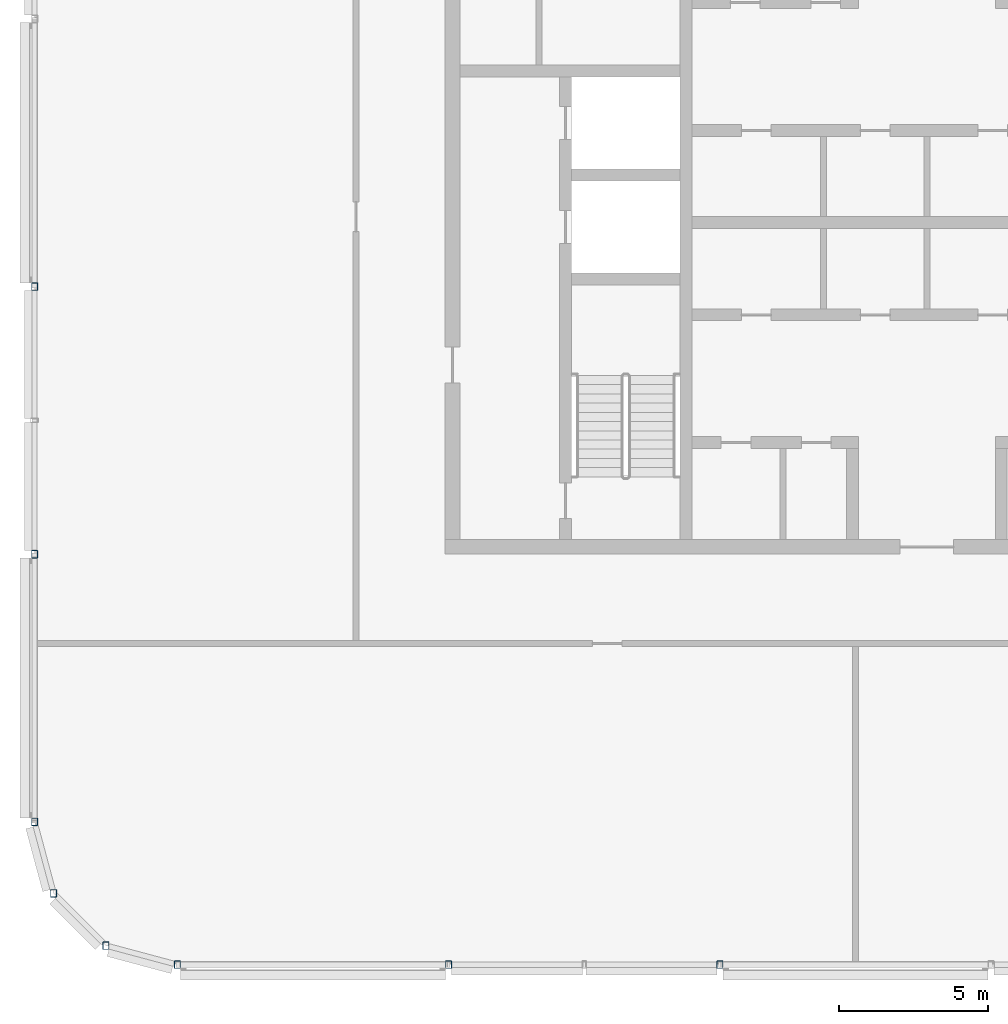
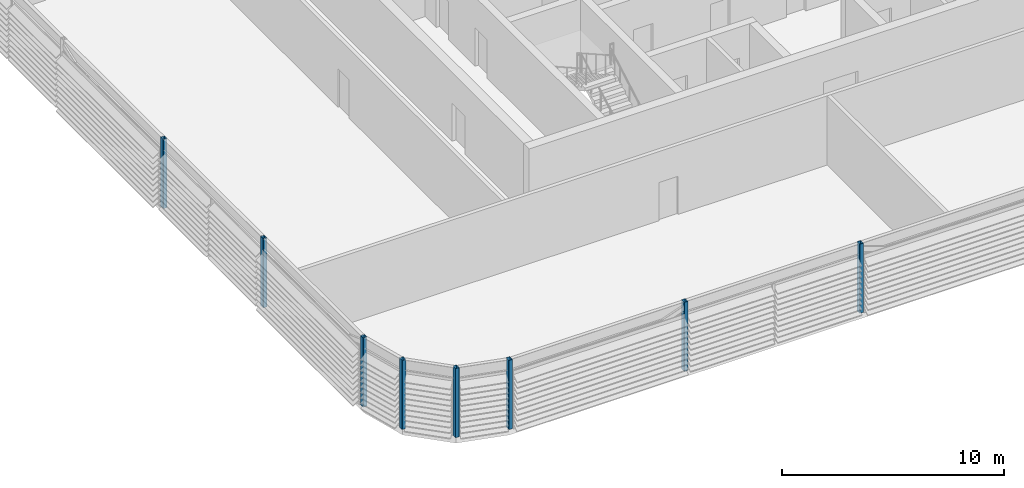
# One storey, part 1 of 28: 8 columns.
"""IFC4 building model written with IfcOpenShell, lengths in metres."""

from ifc_helpers import new_model, si_unit, direction, frame, origin, origin_2d, place, context, subcontext, project, spatial, hollow_rectangle, extrude, material, material_profile, profile_set, type_object, element, save


model = new_model("IFC4")

# Units and contexts
model_context = context("Model", 3, precision=1e-05, world=origin(), true_north=direction((0.0, 1.0)))
body_context = subcontext(model_context, "Body", "Model", "MODEL_VIEW")
ifc_project = project(units=[si_unit("LENGTHUNIT", "METRE"), si_unit("AREAUNIT", "SQUARE_METRE"), si_unit("VOLUMEUNIT", "CUBIC_METRE"), si_unit("PLANEANGLEUNIT", "RADIAN"), si_unit("MASSUNIT", "GRAM", prefix="KILO")], contexts=[model_context])

# Site, building, storey
site_placement = place(None, origin())
site = spatial("IfcSite", under=ifc_project, at=site_placement, CompositionType="ELEMENT")
building_placement = place(site_placement, origin())
building = spatial("IfcBuilding", under=site, at=building_placement, Name="Madar Terraces", CompositionType="ELEMENT")
storey_placement = place(building_placement, frame((0.0, 0.0, 310.10009765625)))
storey = spatial("IfcBuildingStorey", under=building, at=storey_placement, Name="L80", CompositionType="ELEMENT", Elevation=310.10009765625)

# Columns
ifc_material = material(Name="Steel ASTM A500 Grade C", Category="steel")
ifc_material_profile = material_profile(ifc_material, hollow_rectangle(XDim=0.203125, YDim=0.25390625, WallThickness=0.009521484375, InnerFilletRadius=0.00439453125, OuterFilletRadius=0.01318359375, at=origin_2d()), Name="HSS10x8x.375")
ifc_profile_set = profile_set([ifc_material_profile], Name="Steel ASTM A500 Grade C")
column_type = type_object("IfcColumnType", Name="CF1 HSS10x8x.375", PredefinedType="COLUMN", material=ifc_profile_set)
for number, where, z_axis, x_axis, name in (
    (1, (6.0, 1.199951171875, 0.0), (0.0, 0.0, 1.0), (1.0, 0.0, 0.0), "Crown frame column CF1"),
    (2, (15.1201171875, 1.199951171875, 0.0), (0.0, 0.0, 1.0), (1.0, 0.0, 0.0), "Crown frame column CF1"),
    (3, (24.239990234375, 1.199951171875, 0.0), (0.0, 0.0, 1.0), (1.0, 0.0, 0.0), "Crown frame column CF1"),
    (4, (1.199951171875, 24.0, 0.0), (0.0, 0.0, 1.0), (1.0, 0.0, 0.0), "Crown frame column CF1"),
    (5, (1.199951171875, 15.0, 0.0), (0.0, 0.0, 1.0), (1.0, 0.0, 0.0), "Crown frame column CF1"),
    (6, (1.199951171875, 6.0, 0.0), (0.0, 0.0, 1.0), (1.0, 0.0, 0.0), "Crown frame column CF1"),
    (7, (1.843017578125, 3.60009765625, 0.0), (0.0, 0.0, 1.0), (1.0, 0.0, 0.0), "Crown frame column CF1"),
    (8, (3.60009765625, 1.843017578125, 0.0), (0.0, 0.0, 1.0), (1.0, 0.0, 0.0), "Crown frame column CF1"),
):
    element("IfcColumn", number, at=place(storey_placement, frame(where, z_axis=z_axis, x_axis=x_axis)), inside=storey, type_object=column_type, Name=name, PredefinedType="COLUMN", context=body_context, shape_type="SweptSolid", body=[
        extrude(hollow_rectangle(XDim=0.203125, YDim=0.25390625, WallThickness=0.009521484375, InnerFilletRadius=0.00439453125, OuterFilletRadius=0.01318359375, at=origin_2d()), origin(), (0.0, 0.0, 1.0), 3.7998046875),
    ])

save(model, "model.ifc")
